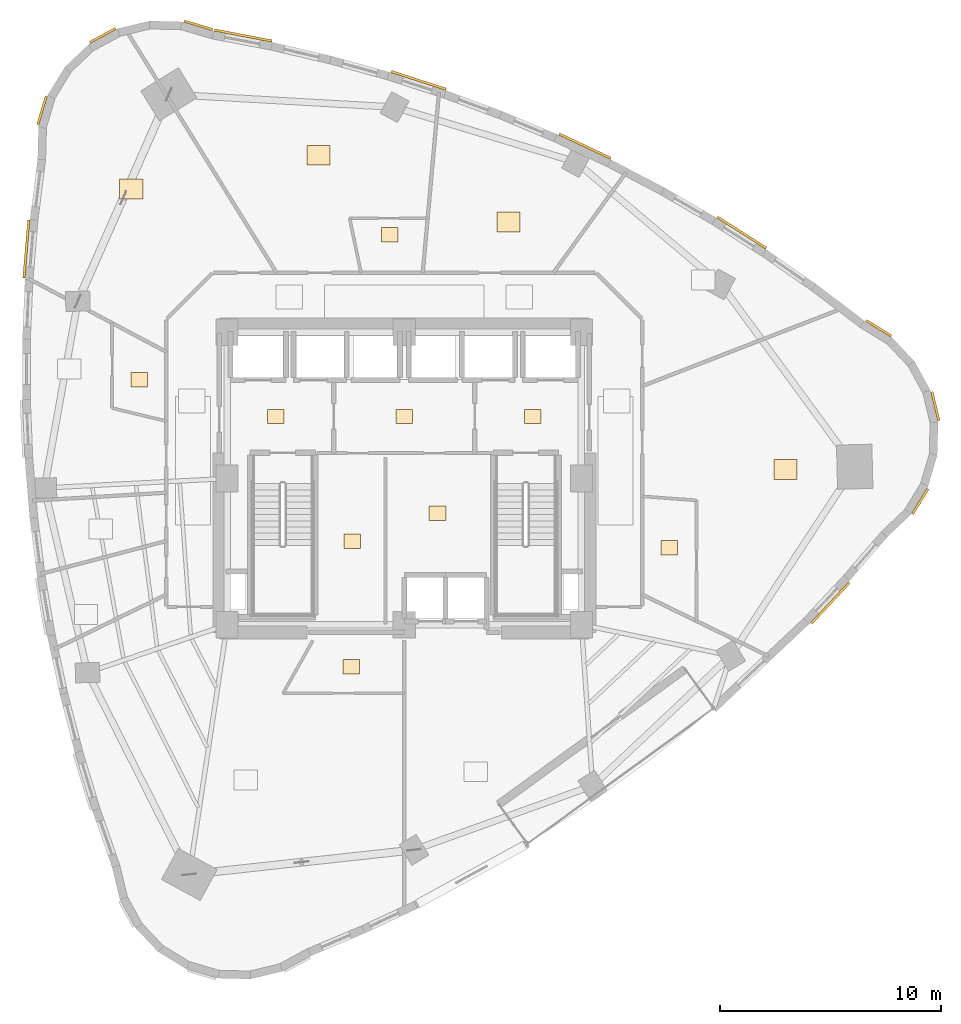
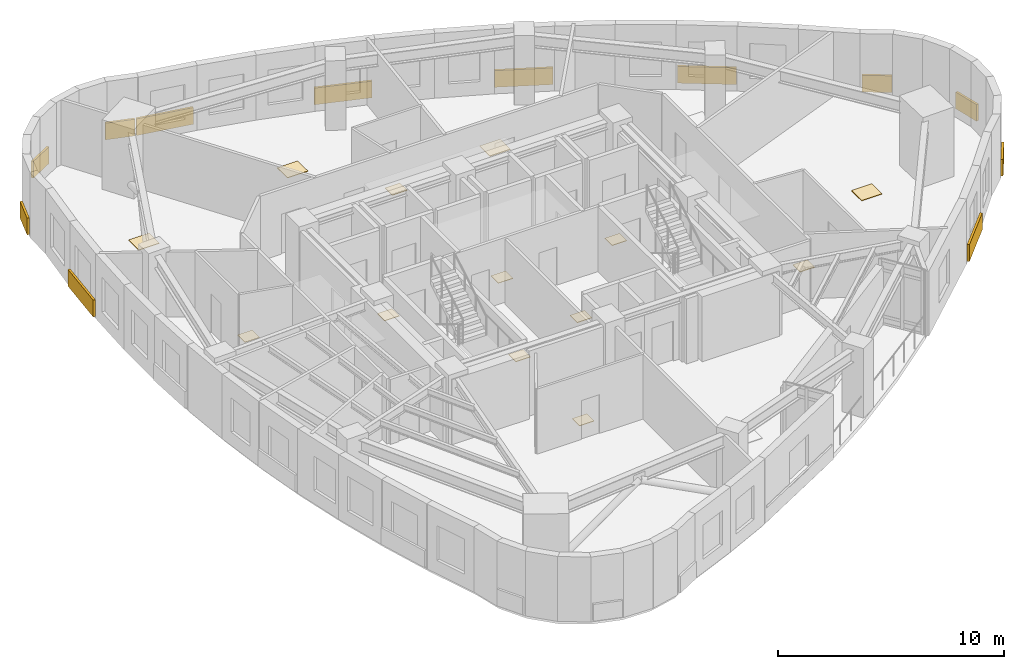
# One storey, part 12 of 12: 25 coverings.
"""IFC4 building model written with IfcOpenShell, lengths in metres."""

from ifc_helpers import new_model, si_unit, direction, frame, origin, origin_2d, place, context, subcontext, project, spatial, rectangle, extrude, material, layer, layer_set, type_object, element, save


model = new_model("IFC4")

# Units and contexts
model_context = context("Model", 3, precision=1e-05, world=origin(), true_north=direction((0.0, 1.0)))
body_context = subcontext(model_context, "Body", "Model", "MODEL_VIEW")
ifc_project = project(units=[si_unit("LENGTHUNIT", "METRE"), si_unit("AREAUNIT", "SQUARE_METRE"), si_unit("VOLUMEUNIT", "CUBIC_METRE"), si_unit("PLANEANGLEUNIT", "RADIAN"), si_unit("MASSUNIT", "GRAM", prefix="KILO")], contexts=[model_context])

# Site, building, storey
site_placement = place(None, origin())
site = spatial("IfcSite", under=ifc_project, at=site_placement, CompositionType="ELEMENT")
building_placement = place(site_placement, origin())
building = spatial("IfcBuilding", under=site, at=building_placement, Name="Ndelora Gate Hotel", CompositionType="ELEMENT")
storey_placement = place(building_placement, frame((0.0, 0.0, 149.75)))
storey = spatial("IfcBuildingStorey", under=building, at=storey_placement, Name="L37", CompositionType="ELEMENT", Elevation=149.75)

# Coverings
ifc_material_1 = material(Name="Terracotta Fired Clay Brick Slip Cladding", Category="masonry")
ifc_layer_1 = layer(ifc_material_1, 0.110107421875)
ifc_layer_set_1 = layer_set([ifc_layer_1], Name="Terracotta Fired Clay Brick Slip Cladding")
covering_type_1 = type_object("IfcCoveringType", Name="COV-CLAD-BRK", PredefinedType="CLADDING", material=ifc_layer_set_1)
for number, where, z_axis, x_axis, name in (
    (1, (-9.29443359375, 20.468017578125, 0.10009765625), (0.0, 0.0, 1.0), (-0.958819734868, 0.284015344704, 0.0), "L37 Rounded-Corner Brick Cladding Band 1"),
    (2, (-13.622802734375, 20.012939453125, 0.10009765625), (0.0, 0.0, 1.0), (0.878817112662, 0.47715876026, 0.0), "L37 Rounded-Corner Brick Cladding Band 4"),
    (3, (-16.36181640625, 16.630615234375, 0.10009765625), (0.0, 0.0, 1.0), (0.284015344704, 0.958819734868, 0.0), "L37 Rounded-Corner Brick Cladding Band 7"),
):
    element("IfcCovering", number, at=place(storey_placement, frame(where, z_axis=z_axis, x_axis=x_axis)), inside=storey, type_object=covering_type_1, Name=name, PredefinedType="CLADDING", context=body_context, shape_type="SweptSolid", body=[
        extrude(rectangle(XDim=1.3359375, YDim=0.110107421875, at=origin_2d()), origin(), (0.0, 0.0, 1.0), 0.89990234375),
    ])
covering_1_placement = place(storey_placement, frame((-17.06982421875, 10.371826171875, 0.10009765625), z_axis=(0.0, 0.0, 1.0), x_axis=(0.084199594279, 0.996448909038, 0.0)))
element("IfcCovering", 4, at=covering_1_placement, inside=storey, type_object=covering_type_1, Name="L37 Rounded-Corner Brick Cladding Band 10", PredefinedType="CLADDING", context=body_context, shape_type="SweptSolid", body=[
    extrude(rectangle(XDim=2.6279296875, YDim=0.110107421875, at=origin_2d()), origin(), (0.0, 0.0, 1.0), 0.89990234375),
])
covering_2_placement = place(storey_placement, frame((19.242431640625, -5.626220703125, 0.10009765625), z_axis=(0.0, 0.0, 1.0), x_axis=(0.682381202461, 0.730996507877, 0.0)))
element("IfcCovering", 5, at=covering_2_placement, inside=storey, type_object=covering_type_1, Name="L37 Rounded-Corner Brick Cladding Band 37", PredefinedType="CLADDING", context=body_context, shape_type="SweptSolid", body=[
    extrude(rectangle(XDim=2.52001953125, YDim=0.110107421875, at=origin_2d()), origin(), (0.0, 0.0, 1.0), 0.89990234375),
])
for number, where, z_axis, x_axis, name in (
    (6, (23.30712890625, -1.031005859375, 0.10009765625), (0.0, 0.0, 1.0), (0.522498564716, 0.852640164354, 0.0), "L37 Rounded-Corner Brick Cladding Band 40"),
    (7, (23.988037109375, 3.267578125, 0.10009765625), (0.0, 0.0, 1.0), (-0.233445363856, 0.972369920398, 0.0), "L37 Rounded-Corner Brick Cladding Band 43"),
    (8, (21.4296875, 6.78857421875, 0.10009765625), (0.0, 0.0, 1.0), (-0.852640164354, 0.522498564716, 0.0), "L37 Rounded-Corner Brick Cladding Band 46"),
):
    element("IfcCovering", number, at=place(storey_placement, frame(where, z_axis=z_axis, x_axis=x_axis)), inside=storey, type_object=covering_type_1, Name=name, PredefinedType="CLADDING", context=body_context, shape_type="SweptSolid", body=[
        extrude(rectangle(XDim=1.3359375, YDim=0.110107421875, at=origin_2d()), origin(), (0.0, 0.0, 1.0), 0.89990234375),
    ])
covering_3_placement = place(storey_placement, frame((15.246826171875, 11.108154296875, 0.10009765625), z_axis=(0.0, 0.0, 1.0), x_axis=(-0.843766346142, 0.536710679153, 0.0)))
element("IfcCovering", 9, at=covering_3_placement, inside=storey, type_object=covering_type_1, Name="L37 Rounded-Corner Brick Cladding Band 49", PredefinedType="CLADDING", context=body_context, shape_type="SweptSolid", body=[
    extrude(rectangle(XDim=2.60791015625, YDim=0.110107421875, at=origin_2d()), origin(), (0.0, 0.0, 1.0), 0.89990234375),
])
covering_4_placement = place(storey_placement, frame((8.156982421875, 15.015380859375, 0.10009765625), z_axis=(0.0, 0.0, 1.0), x_axis=(-0.904678372333, 0.426095109843, 0.0)))
element("IfcCovering", 10, at=covering_4_placement, inside=storey, type_object=covering_type_1, Name="L37 Rounded-Corner Brick Cladding Band 52", PredefinedType="CLADDING", context=body_context, shape_type="SweptSolid", body=[
    extrude(rectangle(XDim=2.580078125, YDim=0.110107421875, at=origin_2d()), origin(), (0.0, 0.0, 1.0), 0.89990234375),
])
covering_5_placement = place(storey_placement, frame((0.6484375, 17.983154296875, 0.10009765625), z_axis=(0.0, 0.0, 1.0), x_axis=(-0.951433341896, 0.30785482931, 0.0)))
element("IfcCovering", 11, at=covering_5_placement, inside=storey, type_object=covering_type_1, Name="L37 Rounded-Corner Brick Cladding Band 55", PredefinedType="CLADDING", context=body_context, shape_type="SweptSolid", body=[
    extrude(rectangle(XDim=2.593994140625, YDim=0.110107421875, at=origin_2d()), origin(), (0.0, 0.0, 1.0), 0.89990234375),
])
covering_6_placement = place(storey_placement, frame((-7.27734375, 20.0107421875, 0.10009765625), z_axis=(0.0, 0.0, 1.0), x_axis=(-0.982156194526, 0.188067034735, 0.0)))
element("IfcCovering", 12, at=covering_6_placement, inside=storey, type_object=covering_type_1, Name="L37 Rounded-Corner Brick Cladding Band 58", PredefinedType="CLADDING", context=body_context, shape_type="SweptSolid", body=[
    extrude(rectangle(XDim=2.65087890625, YDim=0.110107421875, at=origin_2d()), origin(), (0.0, 0.0, 1.0), 0.89990234375),
])
ifc_material_2 = material(Name="Engineered Highland Oak Parquet", Category="wood")
ifc_layer_2 = layer(ifc_material_2, 0.030029296875)
ifc_layer_set_2 = layer_set([ifc_layer_2], Name="Engineered Highland Oak Parquet")
covering_type_2 = type_object("IfcCoveringType", Name="COV-FLR-PARQ", PredefinedType="FLOORING", material=ifc_layer_set_2)
for number, where, z_axis, x_axis, name in (
    (13, (17.219482421875, 0.402587890625, 0.0), (0.0, 0.0, 1.0), (1.0, 0.0, 0.0), "L37 Diplomatic Reception Suite 4002 Oak Parquet Flooring"),
    (14, (4.7119140625, 11.581298828125, 0.0), (0.0, 0.0, 1.0), (1.0, 0.0, 0.0), "L37 Wellness Yoga Studio Oak Parquet Flooring"),
    (15, (-3.87158203125, 14.601806640625, 0.0), (0.0, 0.0, 1.0), (1.0, 0.0, 0.0), "L37 South Horizon Suite 4003 Oak Parquet Flooring"),
    (16, (-12.3349609375, 13.0712890625, 0.0), (0.0, 0.0, 1.0), (1.0, 0.0, 0.0), "L37 Boutique Travel Shop Oak Parquet Flooring"),
):
    element("IfcCovering", number, at=place(storey_placement, frame(where, z_axis=z_axis, x_axis=x_axis)), inside=storey, type_object=covering_type_2, Name=name, PredefinedType="FLOORING", context=body_context, shape_type="SweptSolid", body=[
        extrude(rectangle(XDim=1.050048828125, YDim=0.89990234375, at=origin_2d()), origin(), (0.0, 0.0, 1.0), 0.030029296875),
    ])
ifc_material_3 = material(Name="Non-Slip Porcelain Wet-Room Tile", Category="ceramic")
ifc_layer_3 = layer(ifc_material_3, 0.02490234375)
ifc_layer_set_3 = layer_set([ifc_layer_3], Name="Non-Slip Porcelain Wet-Room Tile")
covering_type_3 = type_object("IfcCoveringType", Name="COV-FLR-TILE", PredefinedType="FLOORING", material=ifc_layer_set_3)
for number, where, z_axis, x_axis, name in (
    (17, (-5.800048828125, 2.800048828125, 0.0), (0.0, 0.0, 1.0), (1.0, 0.0, 0.0), "L37 Firefighting Lift Lobby West Porcelain Tile Flooring"),
    (18, (5.800048828125, 2.800048828125, 0.0), (0.0, 0.0, 1.0), (1.0, 0.0, 0.0), "L37 Firefighting Lift Lobby East Porcelain Tile Flooring"),
    (19, (0.0, 2.800048828125, 0.0), (0.0, 0.0, 1.0), (1.0, 0.0, 0.0), "L37 Central Passenger Lift Lobby Porcelain Tile Flooring"),
    (20, (-2.35009765625, -2.824951171875, 0.0), (0.0, 0.0, 1.0), (1.0, 0.0, 0.0), "L37 Core Electrical Switchroom Porcelain Tile Flooring"),
    (21, (1.5, -1.574951171875, 0.0), (0.0, 0.0, 1.0), (1.0, 0.0, 0.0), "L37 Central Linen Equipment Store Porcelain Tile Flooring"),
    (22, (-2.3984375, -8.510009765625, 0.0), (0.0, 0.0, 1.0), (1.0, 0.0, 0.0), "L37 En-suite Bathroom 4001 Porcelain Tile Flooring"),
    (23, (11.97509765625, -3.121337890625, 0.0), (0.0, 0.0, 1.0), (1.0, 0.0, 0.0), "L37 En-suite Bathroom 4002 Porcelain Tile Flooring"),
    (24, (-0.66162109375, 11.004638671875, 0.0), (0.0, 0.0, 1.0), (1.0, 0.0, 0.0), "L37 En-suite Bathroom 4003 Porcelain Tile Flooring"),
    (25, (-11.97509765625, 4.45458984375, 0.0), (0.0, 0.0, 1.0), (1.0, 0.0, 0.0), "L37 En-suite Bathroom 4004 Porcelain Tile Flooring"),
):
    element("IfcCovering", number, at=place(storey_placement, frame(where, z_axis=z_axis, x_axis=x_axis)), inside=storey, type_object=covering_type_3, Name=name, PredefinedType="FLOORING", context=body_context, shape_type="SweptSolid", body=[
        extrude(rectangle(XDim=0.75, YDim=0.64990234375, at=origin_2d()), origin(), (0.0, 0.0, 1.0), 0.02490234375),
    ])

save(model, "model.ifc")
